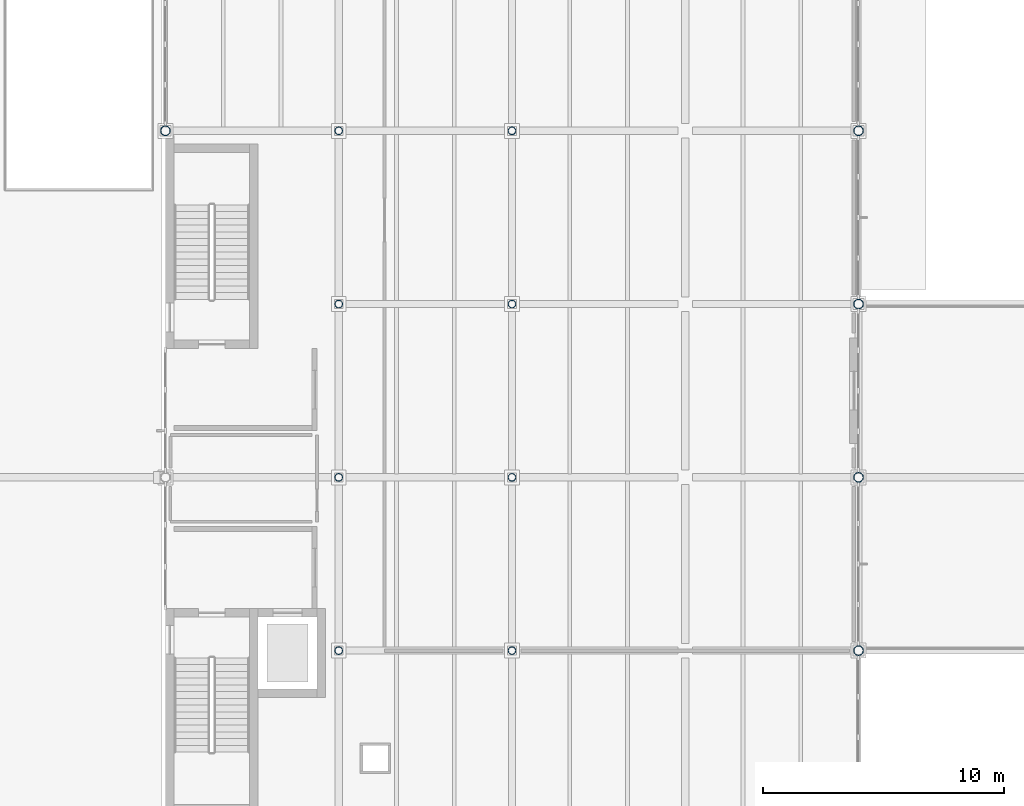
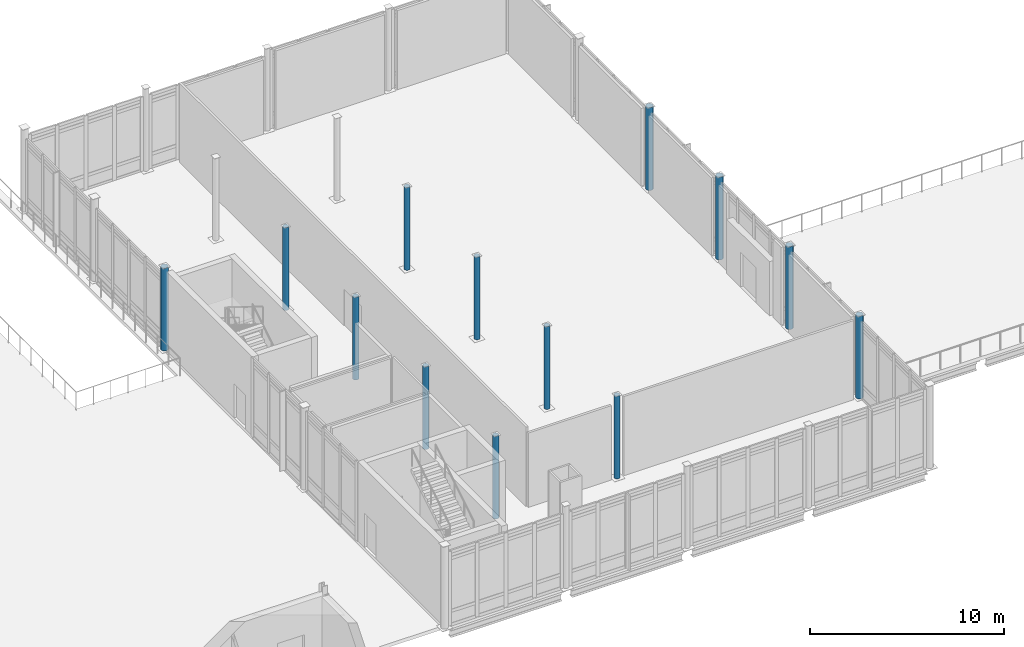
# One storey, part 6 of 89: 13 columns.
"""IFC4 building model written with IfcOpenShell, lengths in metres."""

from ifc_helpers import new_model, si_unit, direction, frame, origin, origin_2d, place, context, subcontext, project, spatial, hollow_circle, extrude, material, material_profile, profile_set, type_object, element, save


model = new_model("IFC4")

# Units and contexts
model_context = context("Model", 3, precision=1e-05, world=origin(), true_north=direction((0.0, 1.0)))
body_context = subcontext(model_context, "Body", "Model", "MODEL_VIEW")
ifc_project = project(units=[si_unit("LENGTHUNIT", "METRE"), si_unit("AREAUNIT", "SQUARE_METRE"), si_unit("VOLUMEUNIT", "CUBIC_METRE"), si_unit("PLANEANGLEUNIT", "RADIAN"), si_unit("MASSUNIT", "GRAM", prefix="KILO")], contexts=[model_context])

# Site, building, storey
site_placement = place(None, origin())
site = spatial("IfcSite", under=ifc_project, at=site_placement, CompositionType="ELEMENT")
building_placement = place(site_placement, origin())
building = spatial("IfcBuilding", under=site, at=building_placement, Name="Zarrinpeak Specialist Clinic", CompositionType="ELEMENT")
storey_placement = place(building_placement, origin())
storey = spatial("IfcBuildingStorey", under=building, at=storey_placement, Name="L00", CompositionType="ELEMENT", Elevation=0.0)

# Columns
ifc_material = material(Name="Steel S355", Category="steel")
ifc_material_profile_1 = material_profile(ifc_material, hollow_circle(Radius=0.161865234375, WallThickness=0.012451171875, at=origin_2d()), Name="CHS 323.9x12.5")
ifc_profile_set_1 = profile_set([ifc_material_profile_1], Name="Steel S355")
column_type_1 = type_object("IfcColumnType", Name="COL-CHS324", PredefinedType="COLUMN", material=ifc_profile_set_1)
for number, where, z_axis, x_axis, name in (
    (1, (100.800048828125, 36.0, 0.0), (0.0, 0.0, 1.0), (1.0, 0.0, 0.0), "L00 Structural Column COL-L00-144"),
    (2, (100.800048828125, 43.199951171875, 0.0), (0.0, 0.0, 1.0), (1.0, 0.0, 0.0), "L00 Structural Column COL-L00-145"),
    (3, (100.800048828125, 50.39990234375, 0.0), (0.0, 0.0, 1.0), (1.0, 0.0, 0.0), "L00 Structural Column COL-L00-146"),
    (4, (100.800048828125, 57.60009765625, 0.0), (0.0, 0.0, 1.0), (1.0, 0.0, 0.0), "L00 Structural Column COL-L00-147"),
    (5, (108.0, 36.0, 0.0), (0.0, 0.0, 1.0), (1.0, 0.0, 0.0), "L00 Structural Column COL-L00-151"),
    (6, (108.0, 43.199951171875, 0.0), (0.0, 0.0, 1.0), (1.0, 0.0, 0.0), "L00 Structural Column COL-L00-152"),
    (7, (108.0, 50.39990234375, 0.0), (0.0, 0.0, 1.0), (1.0, 0.0, 0.0), "L00 Structural Column COL-L00-153"),
    (8, (108.0, 57.60009765625, 0.0), (0.0, 0.0, 1.0), (1.0, 0.0, 0.0), "L00 Structural Column COL-L00-154"),
):
    element("IfcColumn", number, at=place(storey_placement, frame(where, z_axis=z_axis, x_axis=x_axis)), inside=storey, type_object=column_type_1, Name=name, PredefinedType="COLUMN", context=body_context, shape_type="SweptSolid", body=[
        extrude(hollow_circle(Radius=0.161865234375, WallThickness=0.012451171875, at=origin_2d()), origin(), (0.0, 0.0, 1.0), 5.199951171875),
    ])
ifc_material_profile_2 = material_profile(ifc_material, hollow_circle(Radius=0.203125, WallThickness=0.01611328125, at=origin_2d()), Name="CHS 406.4x16.0")
ifc_profile_set_2 = profile_set([ifc_material_profile_2], Name="Steel S355")
column_type_2 = type_object("IfcColumnType", Name="COL-CHS406", PredefinedType="COLUMN", material=ifc_profile_set_2)
for number, where, z_axis, x_axis, name in (
    (9, (93.60009765625, 57.60009765625, 0.0), (0.0, 0.0, 1.0), (1.0, 0.0, 0.0), "L00 Structural Column COL-L00-140"),
    (10, (122.39990234375, 36.0, 0.0), (0.0, 0.0, 1.0), (1.0, 0.0, 0.0), "L00 Structural Column COL-L00-160"),
    (11, (122.39990234375, 43.199951171875, 0.0), (0.0, 0.0, 1.0), (1.0, 0.0, 0.0), "L00 Structural Column COL-L00-161"),
    (12, (122.39990234375, 50.39990234375, 0.0), (0.0, 0.0, 1.0), (1.0, 0.0, 0.0), "L00 Structural Column COL-L00-162"),
    (13, (122.39990234375, 57.60009765625, 0.0), (0.0, 0.0, 1.0), (1.0, 0.0, 0.0), "L00 Structural Column COL-L00-163"),
):
    element("IfcColumn", number, at=place(storey_placement, frame(where, z_axis=z_axis, x_axis=x_axis)), inside=storey, type_object=column_type_2, Name=name, PredefinedType="COLUMN", context=body_context, shape_type="SweptSolid", body=[
        extrude(hollow_circle(Radius=0.203125, WallThickness=0.01611328125, at=origin_2d()), origin(), (0.0, 0.0, 1.0), 5.199951171875),
    ])

save(model, "model.ifc")
